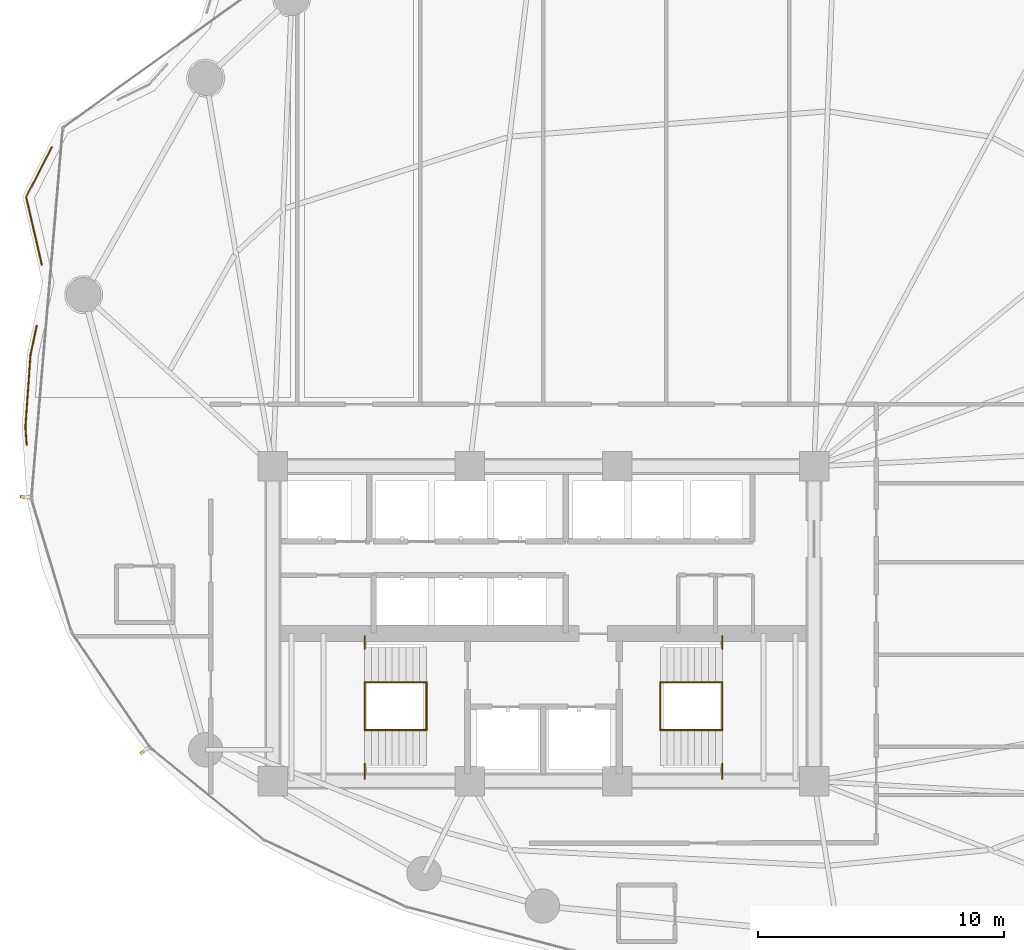
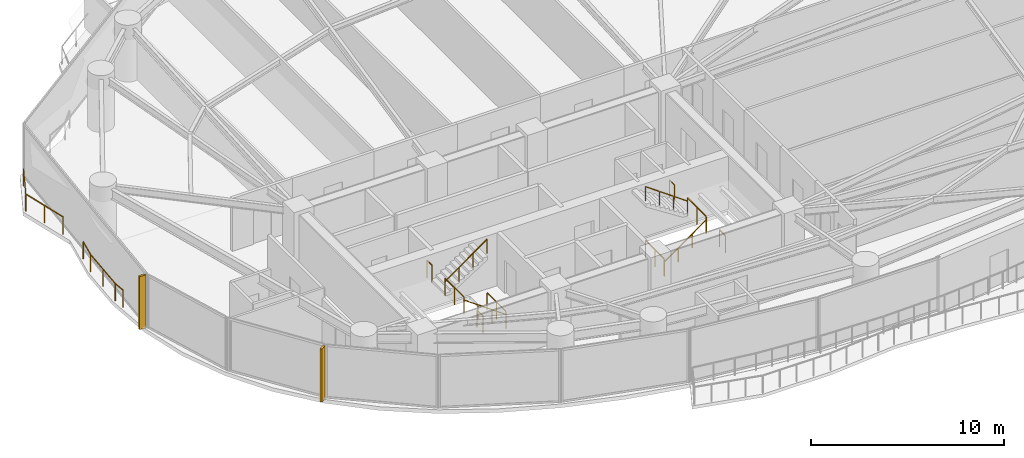
# One storey, part 28 of 30: 14 railings, 2 shading devices.
"""IFC4 building model written with IfcOpenShell, lengths in metres."""

from ifc_helpers import new_model, si_unit, direction, frame, origin, origin_2d, place, context, subcontext, project, spatial, rectangle, extrude, material, type_object, element, save


model = new_model("IFC4")

# Units and contexts
model_context = context("Model", 3, precision=1e-05, world=origin(), true_north=direction((0.0, 1.0)))
body_context = subcontext(model_context, "Body", "Model", "MODEL_VIEW")
ifc_project = project(units=[si_unit("LENGTHUNIT", "METRE"), si_unit("AREAUNIT", "SQUARE_METRE"), si_unit("VOLUMEUNIT", "CUBIC_METRE"), si_unit("PLANEANGLEUNIT", "RADIAN"), si_unit("MASSUNIT", "GRAM", prefix="KILO")], contexts=[model_context])

# Site, building, storey
site_placement = place(None, origin())
site = spatial("IfcSite", under=ifc_project, at=site_placement, CompositionType="ELEMENT")
building_placement = place(site_placement, origin())
building = spatial("IfcBuilding", under=site, at=building_placement, Name="Kazevale Care Tower and Concert Hall", CompositionType="ELEMENT")
storey_placement = place(building_placement, frame((0.0, 0.0, 74.39990234375)))
storey = spatial("IfcBuildingStorey", under=building, at=storey_placement, Name="L19", CompositionType="ELEMENT", Elevation=74.39990234375)

# Railings
ifc_material_1 = material(Name="Anodised Bronze Aluminium and Laminated Glass", Category="aluminium")
railing_type_1 = type_object("IfcRailingType", Name="Balcony and Terrace Balustrade 1120", PredefinedType="BALUSTRADE", material=ifc_material_1)
railing_1_placement = place(storey_placement, frame((11.990966796875, 37.282958984375, 0.0)))
element("IfcRailing", 1, at=railing_1_placement, inside=storey, type_object=railing_type_1, Name="rail:L19:perim:1", PredefinedType="BALUSTRADE", context=body_context, shape_type="SweptSolid", body=[
    extrude(rectangle(XDim=0.048095703125, YDim=0.048095703125, at=origin_2d()), frame((0.0, 0.0, 1.09619140625), z_axis=(-0.070981554075, 0.997477628311, 0.0), x_axis=(-0.997477628311, -0.070981554075, 0.0)), (0.0, 0.0, 1.0), 0.71875),
    extrude(rectangle(XDim=0.048095703125, YDim=0.048095703125, at=origin_2d()), frame((-0.051025390625, 0.717041015625, 1.09619140625), z_axis=(0.070669368456, 0.997499794668, 0.0), x_axis=(-0.997499794668, 0.070669368456, 0.0)), (0.0, 0.0, 1.0), 2.943359375),
    extrude(rectangle(XDim=0.048095703125, YDim=0.048095703125, at=origin_2d()), frame((0.156982421875, 3.653076171875, 1.09619140625), z_axis=(0.20840244995, 0.978043157971, 0.0), x_axis=(-0.978043157971, 0.20840244995, 0.0)), (0.0, 0.0, 1.0), 1.213623046875),
    extrude(rectangle(XDim=0.0419921875, YDim=0.0419921875, at=origin_2d()), origin(), (0.0, 0.0, 1.0), 1.072021484375),
    extrude(rectangle(XDim=0.0419921875, YDim=0.0419921875, at=origin_2d()), frame((-0.051025390625, 0.717041015625, 0.0)), (0.0, 0.0, 1.0), 1.072021484375),
    extrude(rectangle(XDim=0.0419921875, YDim=0.0419921875, at=origin_2d()), frame((0.052978515625, 2.18505859375, 0.0)), (0.0, 0.0, 1.0), 1.072021484375),
    extrude(rectangle(XDim=0.0419921875, YDim=0.0419921875, at=origin_2d()), frame((0.156982421875, 3.653076171875, 0.0)), (0.0, 0.0, 1.0), 1.072021484375),
    extrude(rectangle(XDim=0.0419921875, YDim=0.0419921875, at=origin_2d()), frame((0.409912109375, 4.840087890625, 0.0)), (0.0, 0.0, 1.0), 1.072021484375),
])
railing_2_placement = place(storey_placement, frame((12.610107421875, 44.589111328125, 0.0)))
element("IfcRailing", 2, at=railing_2_placement, inside=storey, type_object=railing_type_1, Name="rail:L19:perim:2", PredefinedType="BALUSTRADE", context=body_context, shape_type="SweptSolid", body=[
    extrude(rectangle(XDim=0.048095703125, YDim=0.048095703125, at=origin_2d()), frame((0.0, 0.0, 1.09619140625), z_axis=(-0.226258373422, 0.974067322343, 0.0), x_axis=(-0.974067322343, -0.226258373422, 0.0)), (0.0, 0.0, 1.0), 2.829345703125),
    extrude(rectangle(XDim=0.048095703125, YDim=0.048095703125, at=origin_2d()), frame((-0.64013671875, 2.755859375, 1.09619140625), z_axis=(0.456998556615, 0.889467435746, 0.0), x_axis=(-0.889467435746, 0.456998556615, 0.0)), (0.0, 0.0, 1.0), 2.2890625),
    extrude(rectangle(XDim=0.0419921875, YDim=0.0419921875, at=origin_2d()), origin(), (0.0, 0.0, 1.0), 1.072021484375),
    extrude(rectangle(XDim=0.0419921875, YDim=0.0419921875, at=origin_2d()), frame((-0.320068359375, 1.3779296875, 0.0)), (0.0, 0.0, 1.0), 1.072021484375),
    extrude(rectangle(XDim=0.0419921875, YDim=0.0419921875, at=origin_2d()), frame((-0.64013671875, 2.755859375, 0.0)), (0.0, 0.0, 1.0), 1.072021484375),
    extrude(rectangle(XDim=0.0419921875, YDim=0.0419921875, at=origin_2d()), frame((0.406005859375, 4.7919921875, 0.0)), (0.0, 0.0, 1.0), 1.072021484375),
])
ifc_material_2 = material(Name="Stainless Steel 316", Category="steel")
railing_type_2 = type_object("IfcRailingType", Name="Stair Pitch Handrail 920", PredefinedType="HANDRAIL", material=ifc_material_2)
railing_3_placement = place(storey_placement, frame((28.25, 25.679931640625, 0.0)))
element("IfcRailing", 3, at=railing_3_placement, inside=storey, type_object=railing_type_2, Name="stair:L19:ST1:hr1", PredefinedType="HANDRAIL", context=body_context, shape_type="SweptSolid", body=[
    extrude(rectangle(XDim=0.048095703125, YDim=0.048095703125, at=origin_2d()), frame((0.0, 0.0, 0.89599609375), z_axis=(-0.813728144527, 0.0, 0.581245650998), x_axis=(0.0, -1.0, 0.0)), (0.0, 0.0, 1.0), 3.096923828125),
    extrude(rectangle(XDim=0.0419921875, YDim=0.0419921875, at=origin_2d()), origin(), (0.0, 0.0, 1.0), 0.871826171875),
    extrude(rectangle(XDim=0.0419921875, YDim=0.0419921875, at=origin_2d()), frame((-0.840087890625, 0.0, 0.60009765625)), (0.0, 0.0, 1.0), 0.871826171875),
    extrude(rectangle(XDim=0.0419921875, YDim=0.0419921875, at=origin_2d()), frame((-1.679931640625, 0.0, 1.199951171875)), (0.0, 0.0, 1.0), 0.871826171875),
    extrude(rectangle(XDim=0.0419921875, YDim=0.0419921875, at=origin_2d()), frame((-2.52001953125, 0.0, 1.800048828125)), (0.0, 0.0, 1.0), 0.871826171875),
])
for number, where, name in (
    (4, (25.72998046875, 27.6201171875, 1.800048828125), "stair:L19:ST1:hr2"),
    (5, (37.75, 25.679931640625, 0.0), "stair:L19:ST2:hr1"),
):
    element("IfcRailing", number, at=place(storey_placement, frame(where)), inside=storey, type_object=railing_type_2, Name=name, PredefinedType="HANDRAIL", context=body_context, shape_type="SweptSolid", body=[
        extrude(rectangle(XDim=0.048095703125, YDim=0.048095703125, at=origin_2d()), frame((0.0, 0.0, 0.89599609375), z_axis=(0.813728144527, 0.0, 0.581245650998), x_axis=(0.0, 1.0, 0.0)), (0.0, 0.0, 1.0), 3.096923828125),
        extrude(rectangle(XDim=0.0419921875, YDim=0.0419921875, at=origin_2d()), origin(), (0.0, 0.0, 1.0), 0.871826171875),
        extrude(rectangle(XDim=0.0419921875, YDim=0.0419921875, at=origin_2d()), frame((0.840087890625, 0.0, 0.60009765625)), (0.0, 0.0, 1.0), 0.871826171875),
        extrude(rectangle(XDim=0.0419921875, YDim=0.0419921875, at=origin_2d()), frame((1.679931640625, 0.0, 1.199951171875)), (0.0, 0.0, 1.0), 0.871826171875),
        extrude(rectangle(XDim=0.0419921875, YDim=0.0419921875, at=origin_2d()), frame((2.52001953125, 0.0, 1.800048828125)), (0.0, 0.0, 1.0), 0.871826171875),
    ])
railing_4_placement = place(storey_placement, frame((40.27001953125, 27.6201171875, 1.800048828125)))
element("IfcRailing", 6, at=railing_4_placement, inside=storey, type_object=railing_type_2, Name="stair:L19:ST2:hr2", PredefinedType="HANDRAIL", context=body_context, shape_type="SweptSolid", body=[
    extrude(rectangle(XDim=0.048095703125, YDim=0.048095703125, at=origin_2d()), frame((0.0, 0.0, 0.89599609375), z_axis=(-0.813728144527, 0.0, 0.581245650998), x_axis=(0.0, -1.0, 0.0)), (0.0, 0.0, 1.0), 3.096923828125),
    extrude(rectangle(XDim=0.0419921875, YDim=0.0419921875, at=origin_2d()), origin(), (0.0, 0.0, 1.0), 0.871826171875),
    extrude(rectangle(XDim=0.0419921875, YDim=0.0419921875, at=origin_2d()), frame((-0.840087890625, 0.0, 0.60009765625)), (0.0, 0.0, 1.0), 0.871826171875),
    extrude(rectangle(XDim=0.0419921875, YDim=0.0419921875, at=origin_2d()), frame((-1.679931640625, 0.0, 1.199951171875)), (0.0, 0.0, 1.0), 0.871826171875),
    extrude(rectangle(XDim=0.0419921875, YDim=0.0419921875, at=origin_2d()), frame((-2.52001953125, 0.0, 1.800048828125)), (0.0, 0.0, 1.0), 0.871826171875),
])
railing_type_3 = type_object("IfcRailingType", Name="Stair Well Guard Balustrade 1120", PredefinedType="BALUSTRADE", material=ifc_material_2)
railing_5_placement = place(storey_placement, frame((25.72998046875, 23.699951171875, 1.800048828125)))
element("IfcRailing", 7, at=railing_5_placement, inside=storey, type_object=railing_type_3, Name="stair:L19:ST1:grd_side1", PredefinedType="BALUSTRADE", context=body_context, shape_type="SweptSolid", body=[
    extrude(rectangle(XDim=0.048095703125, YDim=0.048095703125, at=origin_2d()), frame((0.0, 0.0, 1.09619140625), z_axis=(0.0, 1.0, 0.0), x_axis=(-1.0, 0.0, 0.0)), (0.0, 0.0, 1.0), 0.610107421875),
    extrude(rectangle(XDim=0.0419921875, YDim=0.0419921875, at=origin_2d()), origin(), (0.0, 0.0, 1.0), 1.072021484375),
    extrude(rectangle(XDim=0.0419921875, YDim=0.0419921875, at=origin_2d()), frame((0.0, 0.610107421875, 0.0)), (0.0, 0.0, 1.0), 1.072021484375),
])
railing_6_placement = place(storey_placement, frame((25.72998046875, 28.989990234375, 1.800048828125)))
element("IfcRailing", 8, at=railing_6_placement, inside=storey, type_object=railing_type_3, Name="stair:L19:ST1:grd_side2", PredefinedType="BALUSTRADE", context=body_context, shape_type="SweptSolid", body=[
    extrude(rectangle(XDim=0.048095703125, YDim=0.048095703125, at=origin_2d()), frame((0.0, 0.0, 1.09619140625), z_axis=(0.0, 1.0, 0.0), x_axis=(-1.0, 0.0, 0.0)), (0.0, 0.0, 1.0), 0.510009765625),
    extrude(rectangle(XDim=0.0419921875, YDim=0.0419921875, at=origin_2d()), origin(), (0.0, 0.0, 1.0), 1.072021484375),
    extrude(rectangle(XDim=0.0419921875, YDim=0.0419921875, at=origin_2d()), frame((0.0, 0.510009765625, 0.0)), (0.0, 0.0, 1.0), 1.072021484375),
])
for number, where, name in (
    (9, (25.72998046875, 25.679931640625, 1.800048828125), "stair:L19:ST1:grd_mid"),
    (10, (28.25, 25.679931640625, 0.0), "stair:L19:ST1:grd_flr"),
):
    element("IfcRailing", number, at=place(storey_placement, frame(where)), inside=storey, type_object=railing_type_3, Name=name, PredefinedType="BALUSTRADE", context=body_context, shape_type="SweptSolid", body=[
        extrude(rectangle(XDim=0.048095703125, YDim=0.048095703125, at=origin_2d()), frame((0.0, 0.0, 1.09619140625), z_axis=(0.0, 1.0, 0.0), x_axis=(-1.0, 0.0, 0.0)), (0.0, 0.0, 1.0), 1.940185546875),
        extrude(rectangle(XDim=0.0419921875, YDim=0.0419921875, at=origin_2d()), origin(), (0.0, 0.0, 1.0), 1.072021484375),
        extrude(rectangle(XDim=0.0419921875, YDim=0.0419921875, at=origin_2d()), frame((0.0, 0.97021484375, 0.0)), (0.0, 0.0, 1.0), 1.072021484375),
        extrude(rectangle(XDim=0.0419921875, YDim=0.0419921875, at=origin_2d()), frame((0.0, 1.940185546875, 0.0)), (0.0, 0.0, 1.0), 1.072021484375),
    ])
railing_7_placement = place(storey_placement, frame((40.27001953125, 23.699951171875, 1.800048828125)))
element("IfcRailing", 11, at=railing_7_placement, inside=storey, type_object=railing_type_3, Name="stair:L19:ST2:grd_side1", PredefinedType="BALUSTRADE", context=body_context, shape_type="SweptSolid", body=[
    extrude(rectangle(XDim=0.048095703125, YDim=0.048095703125, at=origin_2d()), frame((0.0, 0.0, 1.09619140625), z_axis=(0.0, 1.0, 0.0), x_axis=(-1.0, 0.0, 0.0)), (0.0, 0.0, 1.0), 0.610107421875),
    extrude(rectangle(XDim=0.0419921875, YDim=0.0419921875, at=origin_2d()), origin(), (0.0, 0.0, 1.0), 1.072021484375),
    extrude(rectangle(XDim=0.0419921875, YDim=0.0419921875, at=origin_2d()), frame((0.0, 0.610107421875, 0.0)), (0.0, 0.0, 1.0), 1.072021484375),
])
railing_8_placement = place(storey_placement, frame((40.27001953125, 28.989990234375, 1.800048828125)))
element("IfcRailing", 12, at=railing_8_placement, inside=storey, type_object=railing_type_3, Name="stair:L19:ST2:grd_side2", PredefinedType="BALUSTRADE", context=body_context, shape_type="SweptSolid", body=[
    extrude(rectangle(XDim=0.048095703125, YDim=0.048095703125, at=origin_2d()), frame((0.0, 0.0, 1.09619140625), z_axis=(0.0, 1.0, 0.0), x_axis=(-1.0, 0.0, 0.0)), (0.0, 0.0, 1.0), 0.510009765625),
    extrude(rectangle(XDim=0.0419921875, YDim=0.0419921875, at=origin_2d()), origin(), (0.0, 0.0, 1.0), 1.072021484375),
    extrude(rectangle(XDim=0.0419921875, YDim=0.0419921875, at=origin_2d()), frame((0.0, 0.510009765625, 0.0)), (0.0, 0.0, 1.0), 1.072021484375),
])
for number, where, name in (
    (13, (40.27001953125, 25.679931640625, 1.800048828125), "stair:L19:ST2:grd_mid"),
    (14, (37.75, 25.679931640625, 0.0), "stair:L19:ST2:grd_flr"),
):
    element("IfcRailing", number, at=place(storey_placement, frame(where)), inside=storey, type_object=railing_type_3, Name=name, PredefinedType="BALUSTRADE", context=body_context, shape_type="SweptSolid", body=[
        extrude(rectangle(XDim=0.048095703125, YDim=0.048095703125, at=origin_2d()), frame((0.0, 0.0, 1.09619140625), z_axis=(0.0, 1.0, 0.0), x_axis=(-1.0, 0.0, 0.0)), (0.0, 0.0, 1.0), 1.940185546875),
        extrude(rectangle(XDim=0.0419921875, YDim=0.0419921875, at=origin_2d()), origin(), (0.0, 0.0, 1.0), 1.072021484375),
        extrude(rectangle(XDim=0.0419921875, YDim=0.0419921875, at=origin_2d()), frame((0.0, 0.97021484375, 0.0)), (0.0, 0.0, 1.0), 1.072021484375),
        extrude(rectangle(XDim=0.0419921875, YDim=0.0419921875, at=origin_2d()), frame((0.0, 1.940185546875, 0.0)), (0.0, 0.0, 1.0), 1.072021484375),
    ])

# Shading devices
ifc_material_3 = material(Name="Honed Ochre Limestone", Category="masonry")
shading_device_type = type_object("IfcShadingDeviceType", Name="Vertical Honed Limestone Fin FIN-01", PredefinedType="USERDEFINED", material=ifc_material_3)
for number, where, z_axis, x_axis, name in (
    (15, (16.7705078125, 24.83447265625, 0.0), (0.0, 0.0, 1.0), (-0.825999928064, -0.563670221706, 0.0), "cw:L19:f11:fin"),
    (16, (11.915283203125, 35.154296875, 0.0), (0.0, 0.0, 1.0), (-0.99643419826, 0.084373506139, 0.0), "cw:L19:f13:fin"),
):
    element("IfcShadingDevice", number, at=place(storey_placement, frame(where, z_axis=z_axis, x_axis=x_axis)), inside=storey, type_object=shading_device_type, Name=name, ObjectType="FIN", PredefinedType="USERDEFINED", context=body_context, shape_type="SweptSolid", body=[
        extrude(rectangle(XDim=0.3798828125, YDim=0.1201171875, at=origin_2d()), origin(), (0.0, 0.0, 1.0), 3.360107421875),
    ])

save(model, "model.ifc")
